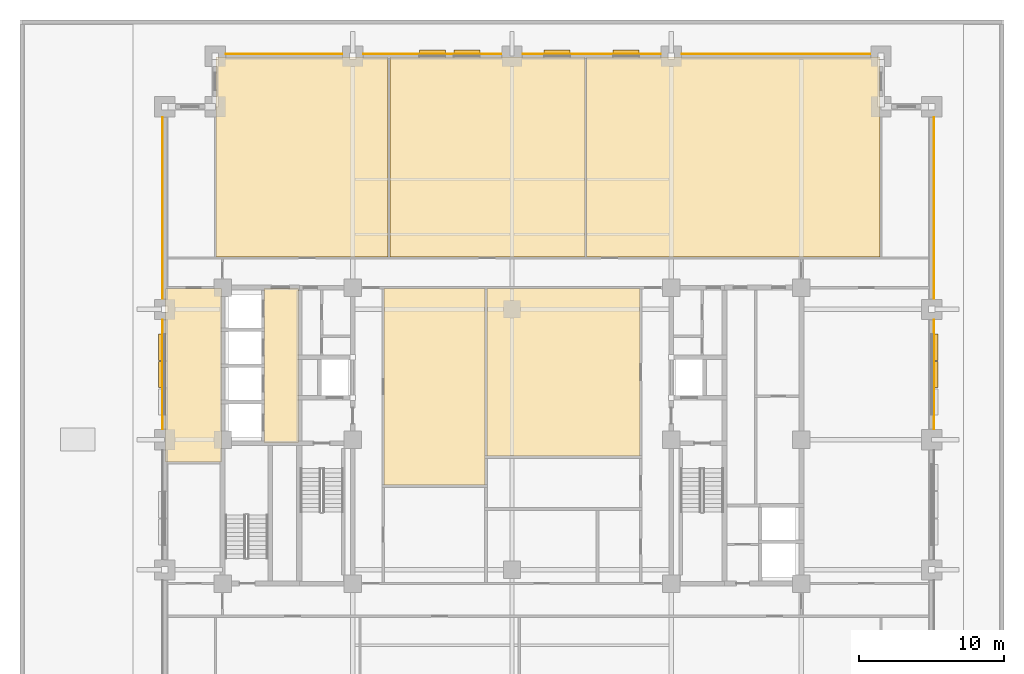
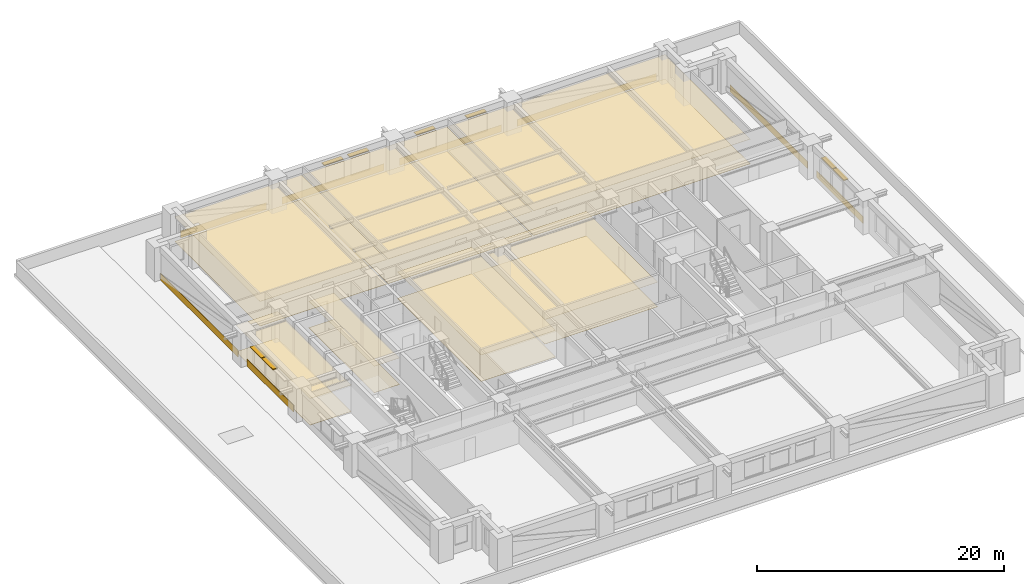
# One storey, part 12 of 12: 22 coverings, 8 shading devices.
"""IFC4 building model written with IfcOpenShell, lengths in metres."""

from ifc_helpers import new_model, si_unit, direction, frame, frame_2d, origin, place, context, subcontext, project, spatial, polyline, rectangle, outline, extrude, material, layer, layer_set, type_object, element, save


model = new_model("IFC4")

# Units and contexts
model_context = context("Model", 3, precision=1e-05, world=origin(), true_north=direction((0.0, 1.0)))
body_context = subcontext(model_context, "Body", "Model", "MODEL_VIEW")
ifc_project = project(units=[si_unit("LENGTHUNIT", "METRE"), si_unit("AREAUNIT", "SQUARE_METRE"), si_unit("VOLUMEUNIT", "CUBIC_METRE"), si_unit("PLANEANGLEUNIT", "RADIAN"), si_unit("MASSUNIT", "GRAM", prefix="KILO")], contexts=[model_context])

# Site, building, storey
site_placement = place(None, origin())
site = spatial("IfcSite", under=ifc_project, at=site_placement, CompositionType="ELEMENT")
building_placement = place(site_placement, origin())
building = spatial("IfcBuilding", under=site, at=building_placement, Name="Zulmaris Gate Convention Tower", CompositionType="ELEMENT")
storey_placement = place(building_placement, frame((0.0, 0.0, 27.199951171875)))
storey = spatial("IfcBuildingStorey", under=building, at=storey_placement, Name="L05", CompositionType="ELEMENT", Elevation=27.199951171875)

# Coverings
ifc_material_1 = material(Name="Precast concrete C40/50", Category="concrete")
ifc_layer_1 = layer(ifc_material_1, 0.0400390625, Name="Precast concrete C40/50")
ifc_layer_set_1 = layer_set([ifc_layer_1], Name="Precast concrete C40/50")
covering_type_1 = type_object("IfcCoveringType", Name="CLAD-SPANDREL-PRECAST", PredefinedType="CLADDING", material=ifc_layer_set_1)
covering_1_placement = place(storey_placement, frame((-11.72998046875, 26.64990234375, 0.0), z_axis=(0.0, 0.0, 1.0), x_axis=(-1.0, 0.0, 0.0)))
element("IfcCovering", 1, at=covering_1_placement, inside=storey, type_object=covering_type_1, Name="CLD-L05-N-0_0", PredefinedType="CLADDING", context=body_context, shape_type="SweptSolid", body=[
    extrude(rectangle(XDim=8.0400390625, YDim=0.0400390625, at=frame_2d((4.02001953125, 0.0))), origin(), (0.0, 0.0, 1.0), 0.679931640625),
])
for number, where, z_axis, x_axis, name in (
    (2, (-0.72998046875, 26.64990234375, 0.0), (0.0, 0.0, 1.0), (-1.0, 0.0, 0.0), "CLD-L05-N-1_0"),
    (3, (10.27001953125, 26.64990234375, 0.0), (0.0, 0.0, 1.0), (-1.0, 0.0, 0.0), "CLD-L05-N-2_0"),
):
    element("IfcCovering", number, at=place(storey_placement, frame(where, z_axis=z_axis, x_axis=x_axis)), inside=storey, type_object=covering_type_1, Name=name, PredefinedType="CLADDING", context=body_context, shape_type="SweptSolid", body=[
        extrude(rectangle(XDim=9.5400390625, YDim=0.0400390625, at=frame_2d((4.77001953125, 0.0))), origin(), (0.0, 0.0, 1.0), 0.679931640625),
    ])
covering_2_placement = place(storey_placement, frame((24.77001953125, 26.64990234375, 0.0), z_axis=(0.0, 0.0, 1.0), x_axis=(-1.0, 0.0, 0.0)))
element("IfcCovering", 4, at=covering_2_placement, inside=storey, type_object=covering_type_1, Name="CLD-L05-N-3_0", PredefinedType="CLADDING", context=body_context, shape_type="SweptSolid", body=[
    extrude(rectangle(XDim=13.0400390625, YDim=0.0400390625, at=frame_2d((6.52001953125, 0.0))), origin(), (0.0, 0.0, 1.0), 0.679931640625),
])
covering_3_placement = place(storey_placement, frame((29.14990234375, 0.72998046875, 0.0), z_axis=(0.0, 0.0, 1.0), x_axis=(0.0, 1.0, 0.0)))
element("IfcCovering", 5, at=covering_3_placement, inside=storey, type_object=covering_type_1, Name="CLD-L05-E-2_0", PredefinedType="CLADDING", context=body_context, shape_type="SweptSolid", body=[
    extrude(rectangle(XDim=7.5400390625, YDim=0.0400390625, at=frame_2d((3.77001953125, 0.0))), origin(), (0.0, 0.0, 1.0), 0.679931640625),
])
covering_4_placement = place(storey_placement, frame((29.14990234375, 9.72998046875, 0.0), z_axis=(0.0, 0.0, 1.0), x_axis=(0.0, 1.0, 0.0)))
element("IfcCovering", 6, at=covering_4_placement, inside=storey, type_object=covering_type_1, Name="CLD-L05-E-3_0", PredefinedType="CLADDING", context=body_context, shape_type="SweptSolid", body=[
    extrude(rectangle(XDim=12.5400390625, YDim=0.0400390625, at=frame_2d((6.27001953125, 0.0))), origin(), (0.0, 0.0, 1.0), 0.679931640625),
])
covering_5_placement = place(storey_placement, frame((-24.14990234375, 8.27001953125, 0.0), z_axis=(0.0, 0.0, 1.0), x_axis=(0.0, -1.0, 0.0)))
element("IfcCovering", 7, at=covering_5_placement, inside=storey, type_object=covering_type_1, Name="CLD-L05-W-2_0", PredefinedType="CLADDING", context=body_context, shape_type="SweptSolid", body=[
    extrude(rectangle(XDim=7.5400390625, YDim=0.0400390625, at=frame_2d((3.77001953125, 0.0))), origin(), (0.0, 0.0, 1.0), 0.679931640625),
])
covering_6_placement = place(storey_placement, frame((-24.14990234375, 22.27001953125, 0.0), z_axis=(0.0, 0.0, 1.0), x_axis=(0.0, -1.0, 0.0)))
element("IfcCovering", 8, at=covering_6_placement, inside=storey, type_object=covering_type_1, Name="CLD-L05-W-3_0", PredefinedType="CLADDING", context=body_context, shape_type="SweptSolid", body=[
    extrude(rectangle(XDim=12.5400390625, YDim=0.0400390625, at=frame_2d((6.27001953125, 0.0))), origin(), (0.0, 0.0, 1.0), 0.679931640625),
])
ifc_material_2 = material(Name="Mineral Fibre Acoustic Ceiling Tile")
ifc_layer_2 = layer(ifc_material_2, 0.02001953125, Name="Mineral Fibre Acoustic Ceiling Tile")
ifc_layer_set_2 = layer_set([ifc_layer_2], Name="Mineral Fibre Acoustic Ceiling Tile")
covering_type_2 = type_object("IfcCoveringType", Name="CLG-ACOUSTIC-600", PredefinedType="CEILING", material=ifc_layer_set_2)
covering_7_placement = place(storey_placement, frame((0.0, 0.0, 2.6279296875)))
element("IfcCovering", 9, at=covering_7_placement, inside=storey, type_object=covering_type_2, Name="CLG-L05-R19", PredefinedType="CEILING", context=body_context, shape_type="SweptSolid", body=[
    extrude(outline(polyline([(-17.139892578125, -0.18994140625), (-14.760009765625, -0.18994140625), (-14.760009765625, 10.43994140625), (-17.139892578125, 10.43994140625), (-17.139892578125, -0.18994140625)])), origin(), (0.0, 0.0, 1.0), 0.02001953125),
])
covering_8_placement = place(storey_placement, frame((0.0, 0.0, 2.427978515625)))
element("IfcCovering", 10, at=covering_8_placement, inside=storey, type_object=covering_type_2, Name="CLG-L05-R35", PredefinedType="CEILING", context=body_context, shape_type="SweptSolid", body=[
    extrude(outline(polyline([(-20.43994140625, 12.610107421875), (-8.56005859375, 12.610107421875), (-8.56005859375, 26.43994140625), (-20.43994140625, 26.43994140625), (-20.43994140625, 12.610107421875)])), origin(), (0.0, 0.0, 1.0), 0.02001953125),
])
covering_9_placement = place(storey_placement, frame((0.0, 0.0, 2.427978515625)))
element("IfcCovering", 11, at=covering_9_placement, inside=storey, type_object=covering_type_2, Name="CLG-L05-R36", PredefinedType="CEILING", context=body_context, shape_type="SweptSolid", body=[
    extrude(outline(polyline([(-8.43994140625, 12.610107421875), (5.0400390625, 12.610107421875), (5.0400390625, 26.43994140625), (-8.43994140625, 26.43994140625), (-8.43994140625, 12.610107421875)])), origin(), (0.0, 0.0, 1.0), 0.02001953125),
])
covering_10_placement = place(storey_placement, frame((0.0, 0.0, 2.427978515625)))
element("IfcCovering", 12, at=covering_10_placement, inside=storey, type_object=covering_type_2, Name="CLG-L05-R37", PredefinedType="CEILING", context=body_context, shape_type="SweptSolid", body=[
    extrude(outline(polyline([(5.159912109375, 12.610107421875), (25.43994140625, 12.610107421875), (25.43994140625, 26.43994140625), (5.159912109375, 26.43994140625), (5.159912109375, 12.610107421875)])), origin(), (0.0, 0.0, 1.0), 0.02001953125),
])
covering_11_placement = place(storey_placement, frame((0.0, 0.0, 2.6279296875)))
element("IfcCovering", 13, at=covering_11_placement, inside=storey, type_object=covering_type_2, Name="CLG-L05-R41", PredefinedType="CEILING", context=body_context, shape_type="SweptSolid", body=[
    extrude(outline(polyline([(-8.840087890625, -3.139892578125), (-1.860107421875, -3.139892578125), (-1.860107421875, 10.43994140625), (-8.840087890625, 10.43994140625), (-8.840087890625, -3.139892578125)])), origin(), (0.0, 0.0, 1.0), 0.02001953125),
])
covering_12_placement = place(storey_placement, frame((0.0, 0.0, 2.427978515625)))
element("IfcCovering", 14, at=covering_12_placement, inside=storey, type_object=covering_type_2, Name="CLG-L05-R43", PredefinedType="CEILING", context=body_context, shape_type="SweptSolid", body=[
    extrude(outline(polyline([(-1.739990234375, -1.139892578125), (8.840087890625, -1.139892578125), (8.840087890625, 10.43994140625), (-1.739990234375, 10.43994140625), (-1.739990234375, -1.139892578125)])), origin(), (0.0, 0.0, 1.0), 0.02001953125),
])
covering_13_placement = place(storey_placement, frame((0.0, 0.0, 2.6279296875)))
element("IfcCovering", 15, at=covering_13_placement, inside=storey, type_object=covering_type_2, Name="CLG-L05-R49", PredefinedType="CEILING", context=body_context, shape_type="SweptSolid", body=[
    extrude(outline(polyline([(-23.93994140625, -1.5400390625), (-20.06005859375, -1.5400390625), (-20.06005859375, 10.43994140625), (-23.93994140625, 10.43994140625), (-23.93994140625, -1.5400390625)])), origin(), (0.0, 0.0, 1.0), 0.02001953125),
])
ifc_material_3 = material(Name="Woven Acoustic Wool Carpet Tile")
ifc_layer_3 = layer(ifc_material_3, 0.02001953125, Name="Woven Acoustic Wool Carpet Tile")
ifc_layer_set_3 = layer_set([ifc_layer_3], Name="Woven Acoustic Wool Carpet Tile")
covering_type_3 = type_object("IfcCoveringType", Name="FLR-CARPET-12", PredefinedType="FLOORING", material=ifc_layer_set_3)
covering_14_placement = place(storey_placement, origin())
element("IfcCovering", 16, at=covering_14_placement, inside=storey, type_object=covering_type_3, Name="FLR-L05-R19", PredefinedType="FLOORING", context=body_context, shape_type="SweptSolid", body=[
    extrude(outline(polyline([(-17.139892578125, -0.18994140625), (-14.760009765625, -0.18994140625), (-14.760009765625, 10.43994140625), (-17.139892578125, 10.43994140625), (-17.139892578125, -0.18994140625)])), origin(), (0.0, 0.0, 1.0), 0.02001953125),
])
covering_15_placement = place(storey_placement, origin())
element("IfcCovering", 17, at=covering_15_placement, inside=storey, type_object=covering_type_3, Name="FLR-L05-R35", PredefinedType="FLOORING", context=body_context, shape_type="SweptSolid", body=[
    extrude(outline(polyline([(-20.43994140625, 12.610107421875), (-8.56005859375, 12.610107421875), (-8.56005859375, 26.43994140625), (-20.43994140625, 26.43994140625), (-20.43994140625, 12.610107421875)])), origin(), (0.0, 0.0, 1.0), 0.02001953125),
])
covering_16_placement = place(storey_placement, origin())
element("IfcCovering", 18, at=covering_16_placement, inside=storey, type_object=covering_type_3, Name="FLR-L05-R36", PredefinedType="FLOORING", context=body_context, shape_type="SweptSolid", body=[
    extrude(outline(polyline([(-8.43994140625, 12.610107421875), (5.0400390625, 12.610107421875), (5.0400390625, 26.43994140625), (-8.43994140625, 26.43994140625), (-8.43994140625, 12.610107421875)])), origin(), (0.0, 0.0, 1.0), 0.02001953125),
])
covering_17_placement = place(storey_placement, origin())
element("IfcCovering", 19, at=covering_17_placement, inside=storey, type_object=covering_type_3, Name="FLR-L05-R37", PredefinedType="FLOORING", context=body_context, shape_type="SweptSolid", body=[
    extrude(outline(polyline([(5.159912109375, 12.610107421875), (25.43994140625, 12.610107421875), (25.43994140625, 26.43994140625), (5.159912109375, 26.43994140625), (5.159912109375, 12.610107421875)])), origin(), (0.0, 0.0, 1.0), 0.02001953125),
])
covering_18_placement = place(storey_placement, origin())
element("IfcCovering", 20, at=covering_18_placement, inside=storey, type_object=covering_type_3, Name="FLR-L05-R43", PredefinedType="FLOORING", context=body_context, shape_type="SweptSolid", body=[
    extrude(outline(polyline([(-1.739990234375, -1.139892578125), (8.840087890625, -1.139892578125), (8.840087890625, 10.43994140625), (-1.739990234375, 10.43994140625), (-1.739990234375, -1.139892578125)])), origin(), (0.0, 0.0, 1.0), 0.02001953125),
])
covering_19_placement = place(storey_placement, origin())
element("IfcCovering", 21, at=covering_19_placement, inside=storey, type_object=covering_type_3, Name="FLR-L05-R49", PredefinedType="FLOORING", context=body_context, shape_type="SweptSolid", body=[
    extrude(outline(polyline([(-23.93994140625, -1.5400390625), (-20.06005859375, -1.5400390625), (-20.06005859375, 10.43994140625), (-23.93994140625, 10.43994140625), (-23.93994140625, -1.5400390625)])), origin(), (0.0, 0.0, 1.0), 0.02001953125),
])
ifc_material_4 = material(Name="Engineered Teak Parquet Flooring")
ifc_layer_4 = layer(ifc_material_4, 0.02001953125, Name="Engineered Teak Parquet Flooring")
ifc_layer_set_4 = layer_set([ifc_layer_4], Name="Engineered Teak Parquet Flooring")
covering_type_4 = type_object("IfcCoveringType", Name="FLR-TIMBER-18", PredefinedType="FLOORING", material=ifc_layer_set_4)
covering_20_placement = place(storey_placement, origin())
element("IfcCovering", 22, at=covering_20_placement, inside=storey, type_object=covering_type_4, Name="FLR-L05-R41", PredefinedType="FLOORING", context=body_context, shape_type="SweptSolid", body=[
    extrude(outline(polyline([(-8.840087890625, -3.139892578125), (-1.860107421875, -3.139892578125), (-1.860107421875, 10.43994140625), (-8.840087890625, 10.43994140625), (-8.840087890625, -3.139892578125)])), origin(), (0.0, 0.0, 1.0), 0.02001953125),
])

# Shading devices
ifc_material_5 = material(Name="Glazed Ceramic Terracotta", Category="masonry")
ifc_layer_5 = layer(ifc_material_5, 0.070068359375, Name="Glazed Ceramic Terracotta")
ifc_layer_set_5 = layer_set([ifc_layer_5], Name="Glazed Ceramic Terracotta")
shading_device_type = type_object("IfcShadingDeviceType", Name="SHD-SUNSHADE-TC", PredefinedType="AWNING", material=ifc_layer_set_5)
for number, where, z_axis, x_axis, name in (
    (23, (-2.215087890625, 26.719970703125, 2.530029296875), (0.0, 0.0, 1.0), (-1.0, 0.0, 0.0), "SHD-EW-L05-N-1_0-1"),
    (24, (-4.60009765625, 26.719970703125, 2.530029296875), (0.0, 0.0, 1.0), (-1.0, 0.0, 0.0), "SHD-EW-L05-N-1_0-2"),
    (25, (8.784912109375, 26.719970703125, 2.530029296875), (0.0, 0.0, 1.0), (-1.0, 0.0, 0.0), "SHD-EW-L05-N-2_0-1"),
    (26, (4.014892578125, 26.719970703125, 2.530029296875), (0.0, 0.0, 1.0), (-1.0, 0.0, 0.0), "SHD-EW-L05-N-2_0-3"),
    (27, (29.219970703125, 3.60009765625, 2.530029296875), (0.0, 0.0, 1.0), (0.0, 1.0, 0.0), "SHD-EW-L05-E-2_0-2"),
    (28, (29.219970703125, 5.485107421875, 2.530029296875), (0.0, 0.0, 1.0), (0.0, 1.0, 0.0), "SHD-EW-L05-E-2_0-3"),
    (29, (-24.219970703125, 7.284912109375, 2.530029296875), (0.0, 0.0, 1.0), (0.0, -1.0, 0.0), "SHD-EW-L05-W-2_0-1"),
    (30, (-24.219970703125, 5.39990234375, 2.530029296875), (0.0, 0.0, 1.0), (0.0, -1.0, 0.0), "SHD-EW-L05-W-2_0-2"),
):
    element("IfcShadingDevice", number, at=place(storey_placement, frame(where, z_axis=z_axis, x_axis=x_axis)), inside=storey, type_object=shading_device_type, Name=name, PredefinedType="AWNING", context=body_context, shape_type="SweptSolid", body=[
        extrude(rectangle(XDim=1.7998046875, YDim=0.43994140625, at=frame_2d((0.89990234375, 0.0))), origin(), (0.0, 0.0, 1.0), 0.070068359375),
    ])

save(model, "model.ifc")
